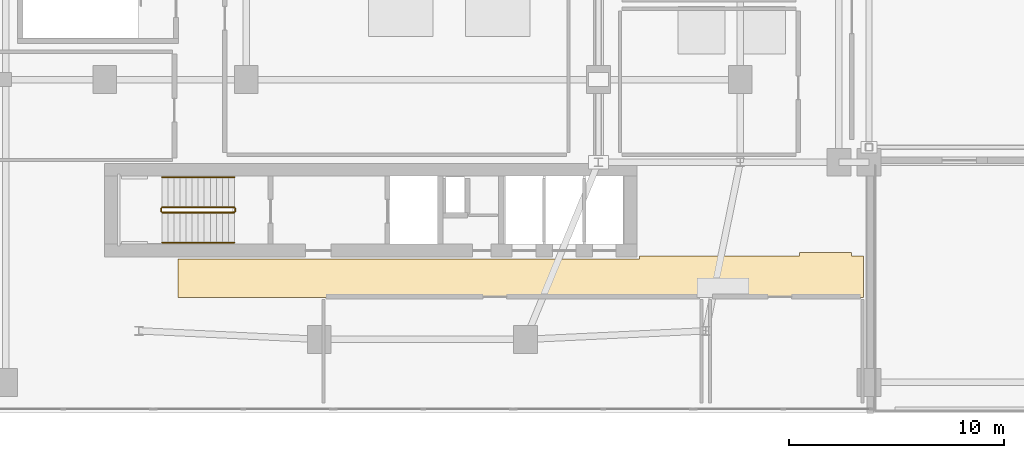
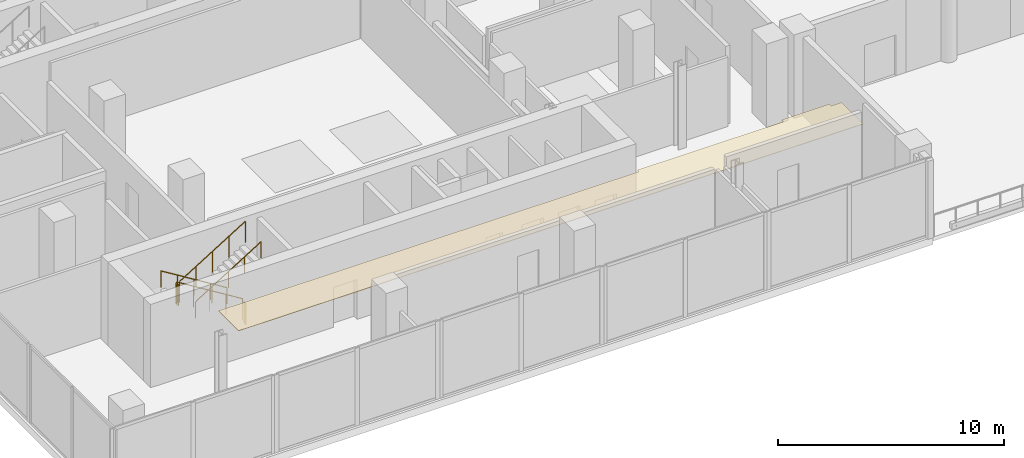
# One storey, part 18 of 21: 6 railings, 1 covering.
"""IFC4 building model written with IfcOpenShell, lengths in metres."""

from ifc_helpers import new_model, si_unit, derived_unit, direction, frame, origin, origin_2d, place, context, subcontext, project, spatial, polyline, circle, outline, extrude, material, layer, layer_set, type_object, element, save


model = new_model("IFC4")

# Units and contexts
model_context = context("Model", 3, precision=1e-05, world=origin(), true_north=direction((0.0, 1.0)))
body_context = subcontext(model_context, "Body", "Model", "MODEL_VIEW")
ifc_project = project(units=[si_unit("LENGTHUNIT", "METRE"), si_unit("AREAUNIT", "SQUARE_METRE"), si_unit("VOLUMEUNIT", "CUBIC_METRE"), si_unit("PLANEANGLEUNIT", "RADIAN"), si_unit("MASSUNIT", "GRAM", prefix="KILO"), derived_unit("THERMALTRANSMITTANCEUNIT", [(si_unit("POWERUNIT", "WATT"), 1), (si_unit("LENGTHUNIT", "METRE"), -2), (si_unit("THERMODYNAMICTEMPERATUREUNIT", "KELVIN"), -1)])], contexts=[model_context])

# Site, building, storey
site_placement = place(None, origin())
site = spatial("IfcSite", under=ifc_project, at=site_placement, CompositionType="ELEMENT")
building_placement = place(site_placement, origin())
building = spatial("IfcBuilding", under=site, at=building_placement, Name="Kivonza Crest Hotel", CompositionType="ELEMENT")
storey_placement = place(building_placement, frame((0.0, 0.0, 19.5)))
storey = spatial("IfcBuildingStorey", under=building, at=storey_placement, Name="L04", CompositionType="ELEMENT", Elevation=19.5)

# Covering
ifc_material_1 = material(Name="Mineral-fibre acoustic ceiling tile", Category="gypsum")
ifc_layer = layer(ifc_material_1, 0.02490234375)
ifc_layer_set = layer_set([ifc_layer], Name="Mineral-fibre acoustic ceiling tile")
covering_type = type_object("IfcCoveringType", Name="CV-CEIL-ACOU", PredefinedType="CEILING", material=ifc_layer_set)
covering_placement = place(storey_placement, frame((0.0, 0.0, 3.0)))
element("IfcCovering", 1, at=covering_placement, inside=storey, type_object=covering_type, Name="L04 L04 Hotel South and Link Corridor suspended ceiling", PredefinedType="CEILING", context=body_context, shape_type="SweptSolid", body=[
    extrude(outline(polyline([(40.989990234375, 13.280029296875), (40.989990234375, 13.43994140625), (38.56005859375, 13.43994140625), (38.56005859375, 13.280029296875), (31.10009765625, 13.280029296875), (31.10009765625, 13.139892578125), (9.610107421875, 13.139892578125), (9.610107421875, 11.360107421875), (41.5400390625, 11.360107421875), (41.5400390625, 13.280029296875), (40.989990234375, 13.280029296875)])), origin(), (0.0, 0.0, 1.0), 0.02490234375),
])

# Railings
ifc_material_2 = material(Name="Brushed stainless steel handrail", Category="steel")
railing_type_1 = type_object("IfcRailingType", Name="RL-HAND-900", PredefinedType="HANDRAIL", material=ifc_material_2)
railing_1_placement = place(storey_placement, frame((12.239990234375, 16.949951171875, 0.173095703125)))
element("IfcRailing", 2, at=railing_1_placement, inside=storey, type_object=railing_type_1, Name="L04 ST-T1-S stair handrail 1", PredefinedType="HANDRAIL", context=body_context, shape_type="SweptSolid", body=[
    extrude(circle(Radius=0.02392578125, at=origin_2d()), frame((0.0, 0.0, 0.8759765625), z_axis=(-0.850623216509, 0.0, 0.525775754039), x_axis=(0.0, -1.0, 0.0)), (0.0, 0.0, 1.0), 3.9501953125),
    extrude(circle(Radius=0.02099609375, at=origin_2d()), origin(), (0.0, 0.0, 1.0), 0.851806640625),
    extrude(circle(Radius=0.02099609375, at=origin_2d()), frame((-0.840087890625, 0.0, 0.519287109375)), (0.0, 0.0, 1.0), 0.851806640625),
    extrude(circle(Radius=0.02099609375, at=origin_2d()), frame((-1.68017578125, 0.0, 1.03857421875)), (0.0, 0.0, 1.0), 0.851806640625),
    extrude(circle(Radius=0.02099609375, at=origin_2d()), frame((-2.52001953125, 0.0, 1.5576171875)), (0.0, 0.0, 1.0), 0.851806640625),
    extrude(circle(Radius=0.02099609375, at=origin_2d()), frame((-3.360107421875, 0.0, 2.076904296875)), (0.0, 0.0, 1.0), 0.851806640625),
])
railing_2_placement = place(storey_placement, frame((8.8798828125, 13.909912109375, 2.423095703125)))
element("IfcRailing", 3, at=railing_2_placement, inside=storey, type_object=railing_type_1, Name="L04 ST-T1-S stair handrail 2", PredefinedType="HANDRAIL", context=body_context, shape_type="SweptSolid", body=[
    extrude(circle(Radius=0.02392578125, at=origin_2d()), frame((0.0, 0.0, 0.8759765625), z_axis=(0.850623216509, 0.0, 0.525775754039), x_axis=(0.0, 1.0, 0.0)), (0.0, 0.0, 1.0), 3.9501953125),
    extrude(circle(Radius=0.02099609375, at=origin_2d()), origin(), (0.0, 0.0, 1.0), 0.851806640625),
    extrude(circle(Radius=0.02099609375, at=origin_2d()), frame((0.840087890625, 0.0, 0.519287109375)), (0.0, 0.0, 1.0), 0.851806640625),
    extrude(circle(Radius=0.02099609375, at=origin_2d()), frame((1.68017578125, 0.0, 1.03857421875)), (0.0, 0.0, 1.0), 0.851806640625),
    extrude(circle(Radius=0.02099609375, at=origin_2d()), frame((2.52001953125, 0.0, 1.5576171875)), (0.0, 0.0, 1.0), 0.851806640625),
    extrude(circle(Radius=0.02099609375, at=origin_2d()), frame((3.360107421875, 0.0, 2.076904296875)), (0.0, 0.0, 1.0), 0.851806640625),
])
ifc_material_3 = material(Name="Painted steel balustrade", Category="steel")
railing_type_2 = type_object("IfcRailingType", Name="RL-STAIR-1150", PredefinedType="BALUSTRADE", material=ifc_material_3)
railing_3_placement = place(storey_placement, frame((12.239990234375, 15.550048828125, 0.173095703125)))
element("IfcRailing", 4, at=railing_3_placement, inside=storey, type_object=railing_type_2, Name="L04 ST-T1-S stair guard 1", PredefinedType="BALUSTRADE", context=body_context, shape_type="SweptSolid", body=[
    extrude(circle(Radius=0.02392578125, at=origin_2d()), frame((0.0, 0.0, 1.1259765625), z_axis=(-0.850623216509, 0.0, 0.525775754039), x_axis=(0.0, -1.0, 0.0)), (0.0, 0.0, 1.0), 3.9501953125),
    extrude(circle(Radius=0.02099609375, at=origin_2d()), origin(), (0.0, 0.0, 1.0), 1.101806640625),
    extrude(circle(Radius=0.02099609375, at=origin_2d()), frame((-0.840087890625, 0.0, 0.519287109375)), (0.0, 0.0, 1.0), 1.101806640625),
    extrude(circle(Radius=0.02099609375, at=origin_2d()), frame((-1.68017578125, 0.0, 1.03857421875)), (0.0, 0.0, 1.0), 1.101806640625),
    extrude(circle(Radius=0.02099609375, at=origin_2d()), frame((-2.52001953125, 0.0, 1.5576171875)), (0.0, 0.0, 1.0), 1.101806640625),
    extrude(circle(Radius=0.02099609375, at=origin_2d()), frame((-3.360107421875, 0.0, 2.076904296875)), (0.0, 0.0, 1.0), 1.101806640625),
])
railing_4_placement = place(storey_placement, frame((8.830078125, 15.5, 2.25)))
element("IfcRailing", 5, at=railing_4_placement, inside=storey, type_object=railing_type_2, Name="L04 ST-T1-S stair guard 2", PredefinedType="BALUSTRADE", context=body_context, shape_type="SweptSolid", body=[
    extrude(circle(Radius=0.02392578125, at=origin_2d()), frame((0.0, 0.0, 1.1259765625), z_axis=(0.0, -1.0, 0.0), x_axis=(1.0, 0.0, 0.0)), (0.0, 0.0, 1.0), 0.139892578125),
    extrude(circle(Radius=0.02099609375, at=origin_2d()), origin(), (0.0, 0.0, 1.0), 1.101806640625),
    extrude(circle(Radius=0.02099609375, at=origin_2d()), frame((0.0, -0.139892578125, 0.0)), (0.0, 0.0, 1.0), 1.101806640625),
])
railing_5_placement = place(storey_placement, frame((8.8798828125, 15.31005859375, 2.423095703125)))
element("IfcRailing", 6, at=railing_5_placement, inside=storey, type_object=railing_type_2, Name="L04 ST-T1-S stair guard 3", PredefinedType="BALUSTRADE", context=body_context, shape_type="SweptSolid", body=[
    extrude(circle(Radius=0.02392578125, at=origin_2d()), frame((0.0, 0.0, 1.1259765625), z_axis=(0.850623216509, 0.0, 0.525775754039), x_axis=(0.0, 1.0, 0.0)), (0.0, 0.0, 1.0), 3.9501953125),
    extrude(circle(Radius=0.02099609375, at=origin_2d()), origin(), (0.0, 0.0, 1.0), 1.101806640625),
    extrude(circle(Radius=0.02099609375, at=origin_2d()), frame((0.840087890625, 0.0, 0.519287109375)), (0.0, 0.0, 1.0), 1.101806640625),
    extrude(circle(Radius=0.02099609375, at=origin_2d()), frame((1.68017578125, 0.0, 1.03857421875)), (0.0, 0.0, 1.0), 1.101806640625),
    extrude(circle(Radius=0.02099609375, at=origin_2d()), frame((2.52001953125, 0.0, 1.5576171875)), (0.0, 0.0, 1.0), 1.101806640625),
    extrude(circle(Radius=0.02099609375, at=origin_2d()), frame((3.360107421875, 0.0, 2.076904296875)), (0.0, 0.0, 1.0), 1.101806640625),
])
railing_6_placement = place(storey_placement, frame((12.2900390625, 15.5, 0.0)))
element("IfcRailing", 7, at=railing_6_placement, inside=storey, type_object=railing_type_2, Name="L04 ST-T1-S stair guard 4", PredefinedType="BALUSTRADE", context=body_context, shape_type="SweptSolid", body=[
    extrude(circle(Radius=0.02392578125, at=origin_2d()), frame((0.0, 0.0, 1.1259765625), z_axis=(0.0, -1.0, 0.0), x_axis=(1.0, 0.0, 0.0)), (0.0, 0.0, 1.0), 0.139892578125),
    extrude(circle(Radius=0.02099609375, at=origin_2d()), origin(), (0.0, 0.0, 1.0), 1.101806640625),
    extrude(circle(Radius=0.02099609375, at=origin_2d()), frame((0.0, -0.139892578125, 0.0)), (0.0, 0.0, 1.0), 1.101806640625),
])

save(model, "model.ifc")
